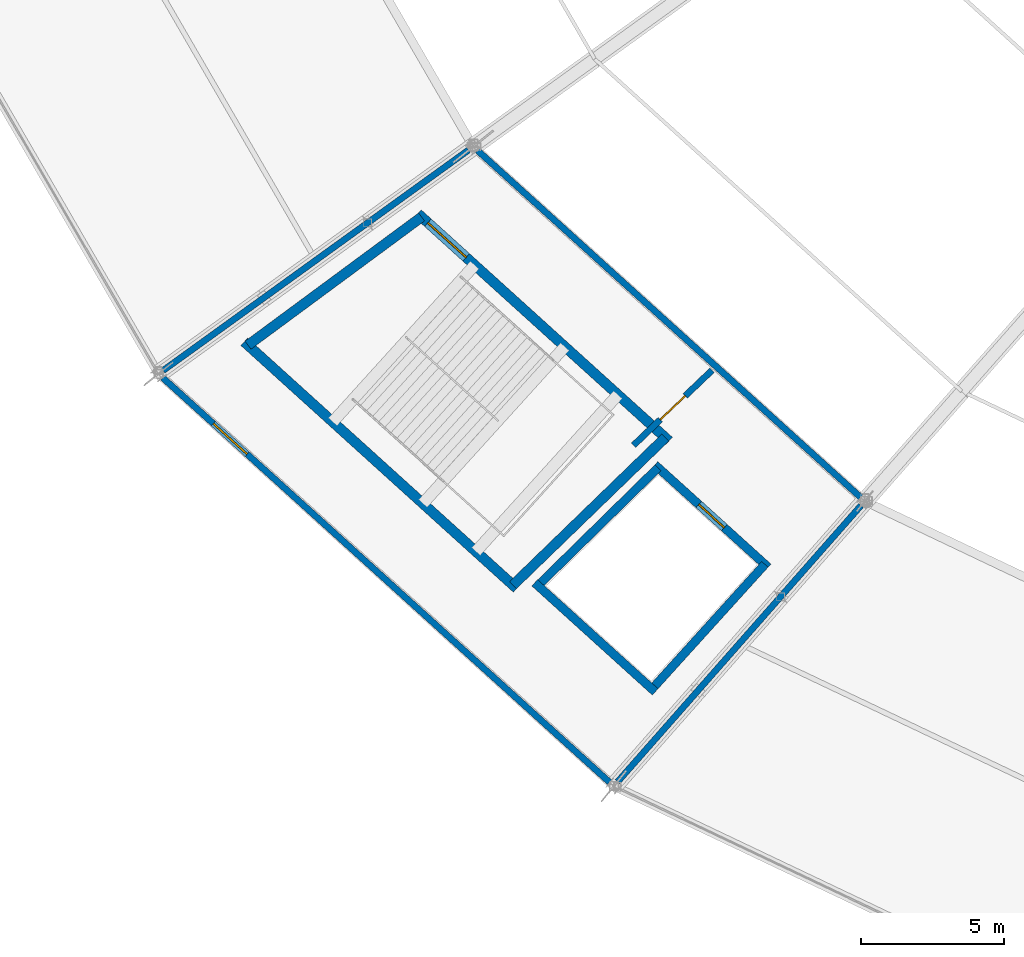
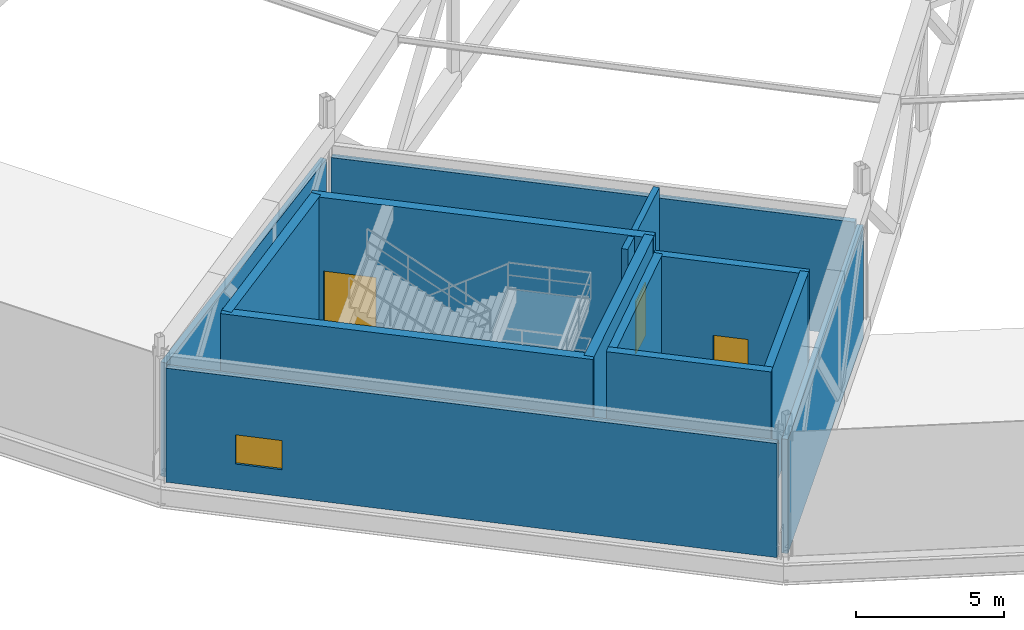
# One storey, part 148 of 162: 13 walls, 3 doors, 1 window, 4 openings.
"""IFC4 building model written with IfcOpenShell, lengths in metres."""

from ifc_helpers import new_model, si_unit, direction, frame, frame_2d, origin, place, context, subcontext, project, spatial, rectangle, extrude, material, layer, layer_set, type_object, element, fill, save


model = new_model("IFC4")

# Units and contexts
model_context = context("Model", 3, precision=1e-05, world=origin(), true_north=direction((0.0, 1.0)))
body_context = subcontext(model_context, "Body", "Model", "MODEL_VIEW")
ifc_project = project(units=[si_unit("LENGTHUNIT", "METRE"), si_unit("AREAUNIT", "SQUARE_METRE"), si_unit("VOLUMEUNIT", "CUBIC_METRE"), si_unit("PLANEANGLEUNIT", "RADIAN"), si_unit("MASSUNIT", "GRAM", prefix="KILO")], contexts=[model_context])

# Site, building, storey
site_placement = place(None, origin())
site = spatial("IfcSite", under=ifc_project, at=site_placement, CompositionType="ELEMENT")
building_placement = place(site_placement, origin())
building = spatial("IfcBuilding", under=site, at=building_placement, Name="Kazemori Nagisa Stadium", CompositionType="ELEMENT")
storey_placement = place(building_placement, frame((0.0, 0.0, 36.719970703125)))
storey = spatial("IfcBuildingStorey", under=building, at=storey_placement, Name="RF", CompositionType="ELEMENT", Elevation=36.719970703125)

# Wall, opening, door
ifc_material_1 = material(Name="Concrete C40/50 (Fc42)", Category="concrete")
ifc_layer_1 = layer(ifc_material_1, 0.35009765625, Name="Concrete C40/50 (Fc42)", Category="concrete")
ifc_layer_set_1 = layer_set([ifc_layer_1], Name="Concrete C40/50 (Fc42)")
wall_type_1 = type_object("IfcWallType", Name="Wall_W-CORE-350", PredefinedType="SHEAR", material=ifc_layer_set_1)
wall_1_placement = place(storey_placement, frame((53.561279296875, 50.927978515625, 0.0), z_axis=(0.0, 0.0, 1.0), x_axis=(0.741358227035, -0.671109513572, 0.0)))
wall_1 = element("IfcWall", 1, at=wall_1_placement, inside=storey, type_object=wall_type_1, Name="Core stair front shear wall ST03 RF", PredefinedType="SHEAR", context=body_context, shape_type="SweptSolid", body=[
    extrude(rectangle(XDim=11.82666015625, YDim=0.35009765625, at=frame_2d((5.913330078125, 0.0))), origin(), (0.0, 0.0, 1.0), 5.219970703125),
])
opening_1_placement = place(wall_1_placement, frame((0.47509765625, 0.0, 0.0)))
opening_1 = element("IfcOpeningElement", 2, at=opening_1_placement, cuts=wall_1, Name="Opening D-ST-1800", PredefinedType="OPENING", context=body_context, shape_type="SweptSolid", body=[
    extrude(rectangle(XDim=1.800048828125, YDim=2.199951171875, at=frame_2d((0.89990234375, 1.10009765625))), frame((0.0, 0.18505859375, 0.0), z_axis=(0.0, -1.0, 0.0), x_axis=(1.0, 0.0, 0.0)), (0.0, 0.0, 1.0), 0.3701171875),
])
ifc_material_2 = material(Name="Galvanised steel sheet", Category="steel")
door_type_1 = type_object("IfcDoorType", Name="Door_D-ST-1800", OperationType="NOTDEFINED", PredefinedType="DOOR", material=ifc_material_2)
door_1_placement = place(opening_1_placement, frame((1.800048828125, 0.0, 0.0), z_axis=(0.0, 0.0, 1.0), x_axis=(-1.0, 0.0, 0.0)))
door_1 = element("IfcDoor", 3, at=door_1_placement, inside=storey, type_object=door_type_1, Name="Exit stair fire door ST03-RF", OperationType="SINGLE_SWING_RIGHT", OverallHeight=2.199951171875, OverallWidth=1.800048828125, PredefinedType="DOOR", context=body_context, shape_type="SweptSolid", body=[
    extrude(rectangle(XDim=1.800048828125, YDim=2.199951171875, at=frame_2d((0.89990234375, 1.10009765625))), frame((0.0, 0.02490234375, 0.0), z_axis=(0.0, -1.0, 0.0), x_axis=(1.0, 0.0, 0.0)), (0.0, 0.0, 1.0), 0.050048828125),
])
fill(opening_1, door_1)

# Walls
wall_2_placement = place(storey_placement, frame((47.500732421875, 46.451904296875, 0.0), z_axis=(0.0, 0.0, 1.0), x_axis=(0.741351373721, -0.671117084183, 0.0)))
element("IfcWall", 4, at=wall_2_placement, inside=storey, type_object=wall_type_1, Name="Core stair rear shear wall ST03 RF", PredefinedType="SHEAR", context=body_context, shape_type="SweptSolid", body=[
    extrude(rectangle(XDim=12.830322265625, YDim=0.35009765625, at=frame_2d((6.4150390625, 0.0))), origin(), (0.0, 0.0, 1.0), 5.219970703125),
])
wall_3_placement = place(storey_placement, frame((53.691162109375, 50.810546875, 0.0), z_axis=(0.0, 0.0, 1.0), x_axis=(-0.804395625347, -0.594093997548, 0.0)))
element("IfcWall", 5, at=wall_3_placement, inside=storey, type_object=wall_type_1, Name="Core stair left shear wall ST03 RF", PredefinedType="SHEAR", context=body_context, shape_type="SweptSolid", body=[
    extrude(rectangle(XDim=7.5341796875, YDim=0.35009765625, at=frame_2d((3.76708984375, 0.0))), origin(), (0.0, 0.0, 1.0), 5.219970703125),
])
wall_4_placement = place(storey_placement, frame((62.199462890625, 43.1083984375, 0.0), z_axis=(0.0, 0.0, 1.0), x_axis=(-0.718297398554, -0.69573619083, 0.0)))
element("IfcWall", 6, at=wall_4_placement, inside=storey, type_object=wall_type_1, Name="Core stair right shear wall ST03 RF", PredefinedType="SHEAR", context=body_context, shape_type="SweptSolid", body=[
    extrude(rectangle(XDim=7.40185546875, YDim=0.35009765625, at=frame_2d((3.700927734375, 0.0))), origin(), (0.0, 0.0, 1.0), 5.219970703125),
])
ifc_material_3 = material(Name="Steel S355 (SN490B)", Category="steel")
ifc_layer_2 = layer(ifc_material_3, 0.219970703125, Name="Steel S355 (SN490B)", Category="steel")
ifc_layer_set_2 = layer_set([ifc_layer_2], Name="Steel S355 (SN490B)")
wall_type_2 = type_object("IfcWallType", Name="Wall_W-EXT-220", PredefinedType="SOLIDWALL", material=ifc_layer_set_2)
wall_5_placement = place(storey_placement, frame((55.642333984375, 53.131591796875, 0.0), z_axis=(0.0, 0.0, 1.0), x_axis=(0.741349812395, -0.671118808902, 0.0)))
element("IfcWall", 7, at=wall_5_placement, inside=storey, type_object=wall_type_2, Name="Corner headhouse exterior wall RF-B18-in", PredefinedType="SOLIDWALL", context=body_context, shape_type="SweptSolid", body=[
    extrude(rectangle(XDim=18.041748046875, YDim=0.219970703125, at=frame_2d((9.02099609375, 0.0))), origin(), (0.0, 0.0, 1.0), 4.68994140625),
])

# Wall, opening, window
wall_6_placement = place(storey_placement, frame((44.65283203125, 45.1982421875, 0.0), z_axis=(0.0, 0.0, 1.0), x_axis=(0.74134637924, -0.671122601309, 0.0)))
wall_6 = element("IfcWall", 8, at=wall_6_placement, inside=storey, type_object=wall_type_2, Name="Corner headhouse exterior wall RF-B18-out", PredefinedType="SOLIDWALL", context=body_context, shape_type="SweptSolid", body=[
    extrude(rectangle(XDim=21.0439453125, YDim=0.219970703125, at=frame_2d((10.52197265625, 0.0))), origin(), (0.0, 0.0, 1.0), 4.68994140625),
])
opening_2_placement = place(wall_6_placement, frame((2.3798828125, 0.0, 1.10009765625)))
opening_2 = element("IfcOpeningElement", 9, at=opening_2_placement, cuts=wall_6, Name="Opening WIN-RF-1600", PredefinedType="OPENING", context=body_context, shape_type="SweptSolid", body=[
    extrude(rectangle(XDim=1.60009765625, YDim=1.199951171875, at=frame_2d((0.800048828125, 0.60009765625))), frame((0.0, 0.119873046875, 0.0), z_axis=(0.0, -1.0, 0.0), x_axis=(1.0, 0.0, 0.0)), (0.0, 0.0, 1.0), 0.239990234375),
])
ifc_material_4 = material(Name="Low-e laminated double glazing", Category="glass")
window_type = type_object("IfcWindowType", Name="Window_WIN-RF-1600", PartitioningType="SINGLE_PANEL", PredefinedType="WINDOW", material=ifc_material_4)
window_placement = place(opening_2_placement, origin())
window = element("IfcWindow", 10, at=window_placement, inside=storey, type_object=window_type, Name="Headhouse plant clerestory window RF-B18", OverallHeight=1.199951171875, OverallWidth=1.60009765625, PartitioningType="SINGLE_PANEL", PredefinedType="WINDOW", context=body_context, shape_type="SweptSolid", body=[
    extrude(rectangle(XDim=1.60009765625, YDim=1.199951171875, at=frame_2d((0.800048828125, 0.60009765625))), frame((0.0, 0.030029296875, 0.0), z_axis=(0.0, -1.0, 0.0), x_axis=(1.0, 0.0, 0.0)), (0.0, 0.0, 1.0), 0.06005859375),
])
fill(opening_2, window)

# Walls
wall_7_placement = place(storey_placement, frame((55.331787109375, 53.148681640625, 0.0), z_axis=(0.0, 0.0, 1.0), x_axis=(-0.810798631482, -0.585325190972, 0.0)))
element("IfcWall", 11, at=wall_7_placement, inside=storey, type_object=wall_type_2, Name="Corner headhouse exterior wall RF-B18-L", PredefinedType="SOLIDWALL", context=body_context, shape_type="SweptSolid", body=[
    extrude(rectangle(XDim=13.15380859375, YDim=0.219970703125, at=frame_2d((6.576904296875, 0.0))), origin(), (0.0, 0.0, 1.0), 4.68994140625),
])
wall_8_placement = place(storey_placement, frame((69.033447265625, 40.7392578125, 0.0), z_axis=(0.0, 0.0, 1.0), x_axis=(-0.661016034052, -0.750371776339, 0.0)))
element("IfcWall", 12, at=wall_8_placement, inside=storey, type_object=wall_type_2, Name="Corner headhouse exterior wall RF-B18-R", PredefinedType="SOLIDWALL", context=body_context, shape_type="SweptSolid", body=[
    extrude(rectangle(XDim=12.85791015625, YDim=0.219970703125, at=frame_2d((6.428955078125, 0.0))), origin(), (0.0, 0.0, 1.0), 4.68994140625),
])

# Wall, opening, door
ifc_material_5 = material(Name="Concrete C36/45 (Fc36)", Category="concrete")
ifc_layer_3 = layer(ifc_material_5, 0.219970703125, Name="Concrete C36/45 (Fc36)", Category="concrete")
ifc_layer_set_3 = layer_set([ifc_layer_3], Name="Concrete C36/45 (Fc36)")
wall_type_3 = type_object("IfcWallType", Name="Wall_W-LOBBY-220", PredefinedType="SOLIDWALL", material=ifc_layer_set_3)
wall_9_placement = place(storey_placement, frame((63.833251953125, 45.461181640625, 0.0), z_axis=(0.0, 0.0, 1.0), x_axis=(-0.722996399824, -0.690851797306, 0.0)))
wall_9 = element("IfcWall", 13, at=wall_9_placement, inside=storey, type_object=wall_type_3, Name="Headhouse plant fire wall RF-B18", PredefinedType="SOLIDWALL", context=body_context, shape_type="SweptSolid", body=[
    extrude(rectangle(XDim=3.797607421875, YDim=0.219970703125, at=frame_2d((1.89892578125, 0.0))), origin(), (0.0, 0.0, 1.0), 5.18994140625),
])
opening_3_placement = place(wall_9_placement, frame((1.299072265625, 0.0, 0.0)))
opening_3 = element("IfcOpeningElement", 14, at=opening_3_placement, cuts=wall_9, Name="Opening D-PL-1200", PredefinedType="OPENING", context=body_context, shape_type="SweptSolid", body=[
    extrude(rectangle(XDim=1.199951171875, YDim=2.14990234375, at=frame_2d((0.60009765625, 1.074951171875))), frame((0.0, 0.119873046875, 0.0), z_axis=(0.0, -1.0, 0.0), x_axis=(1.0, 0.0, 0.0)), (0.0, 0.0, 1.0), 0.239990234375),
])
door_type_2 = type_object("IfcDoorType", Name="Door_D-PL-1200", OperationType="NOTDEFINED", PredefinedType="DOOR", material=ifc_material_2)
door_2_placement = place(opening_3_placement, origin())
door_2 = element("IfcDoor", 15, at=door_2_placement, inside=storey, type_object=door_type_2, Name="Headhouse plant fire door RF-B18", OperationType="SINGLE_SWING_LEFT", OverallHeight=2.14990234375, OverallWidth=1.199951171875, PredefinedType="DOOR", context=body_context, shape_type="SweptSolid", body=[
    extrude(rectangle(XDim=1.199951171875, YDim=2.14990234375, at=frame_2d((0.60009765625, 1.074951171875))), frame((0.0, 0.02490234375, 0.0), z_axis=(0.0, -1.0, 0.0), x_axis=(1.0, 0.0, 0.0)), (0.0, 0.0, 1.0), 0.050048828125),
])
fill(opening_3, door_2)

ifc_layer_4 = layer(ifc_material_1, 0.300048828125, Name="Concrete C40/50 (Fc42)", Category="concrete")
ifc_layer_set_4 = layer_set([ifc_layer_4], Name="Concrete C40/50 (Fc42)")
wall_type_4 = type_object("IfcWallType", Name="Wall_W-SHAFT-300", PredefinedType="SHEAR", material=ifc_layer_set_4)
wall_10_placement = place(storey_placement, frame((61.8369140625, 42.159423828125, 0.0), z_axis=(0.0, 0.0, 1.0), x_axis=(0.741350155641, -0.671118429736, 0.0)))
wall_10 = element("IfcWall", 16, at=wall_10_placement, inside=storey, type_object=wall_type_4, Name="Lift shaft front wall FL3 RF", PredefinedType="SHEAR", context=body_context, shape_type="SweptSolid", body=[
    extrude(rectangle(XDim=5.3291015625, YDim=0.300048828125, at=frame_2d((2.66455078125, 0.0))), origin(), (0.0, 0.0, 1.0), 5.18994140625),
])
opening_4_placement = place(wall_10_placement, frame((2.06494140625, 0.0, 0.0)))
opening_4 = element("IfcOpeningElement", 17, at=opening_4_placement, cuts=wall_10, Name="Opening LD-FF", PredefinedType="OPENING", context=body_context, shape_type="SweptSolid", body=[
    extrude(rectangle(XDim=1.199951171875, YDim=2.199951171875, at=frame_2d((0.60009765625, 1.10009765625))), frame((0.0, 0.159912109375, 0.0), z_axis=(0.0, -1.0, 0.0), x_axis=(1.0, 0.0, 0.0)), (0.0, 0.0, 1.0), 0.320068359375),
])
ifc_material_6 = material(Name="Stainless steel SUS304", Category="steel")
door_type_3 = type_object("IfcDoorType", Name="Door_LD-FF", OperationType="SLIDING_TO_LEFT", PredefinedType="DOOR", material=ifc_material_6)
door_3_placement = place(opening_4_placement, origin())
door_3 = element("IfcDoor", 18, at=door_3_placement, inside=storey, type_object=door_type_3, Name="Lift landing door FL3-RF", OperationType="SLIDING_TO_LEFT", OverallHeight=2.199951171875, OverallWidth=1.199951171875, PredefinedType="DOOR", context=body_context, shape_type="SweptSolid", body=[
    extrude(rectangle(XDim=1.199951171875, YDim=2.199951171875, at=frame_2d((0.60009765625, 1.10009765625))), frame((0.0, 0.02490234375, 0.0), z_axis=(0.0, -1.0, 0.0), x_axis=(1.0, 0.0, 0.0)), (0.0, 0.0, 1.0), 0.050048828125),
])
fill(opening_4, door_3)

# Walls
wall_11_placement = place(storey_placement, frame((57.640380859375, 38.039306640625, 0.0), z_axis=(0.0, 0.0, 1.0), x_axis=(0.74134208775, -0.671127341815, 0.0)))
element("IfcWall", 19, at=wall_11_placement, inside=storey, type_object=wall_type_4, Name="Lift shaft B wall FL3 RF", PredefinedType="SHEAR", context=body_context, shape_type="SweptSolid", body=[
    extrude(rectangle(XDim=5.674560546875, YDim=0.300048828125, at=frame_2d((2.83740234375, 0.0))), origin(), (0.0, 0.0, 1.0), 5.18994140625),
])
wall_12_placement = place(storey_placement, frame((61.947998046875, 42.058837890625, 0.0), z_axis=(0.0, 0.0, 1.0), x_axis=(-0.713553028001, -0.700601224828, 0.0)))
element("IfcWall", 20, at=wall_12_placement, inside=storey, type_object=wall_type_4, Name="Lift shaft L wall FL3 RF", PredefinedType="SHEAR", context=body_context, shape_type="SweptSolid", body=[
    extrude(rectangle(XDim=5.881103515625, YDim=0.300048828125, at=frame_2d((2.9404296875, 0.0))), origin(), (0.0, 0.0, 1.0), 5.18994140625),
])
wall_13_placement = place(storey_placement, frame((65.67626953125, 38.68359375, 0.0), z_axis=(0.0, 0.0, 1.0), x_axis=(-0.67115829282, -0.741314067031, 0.0)))
element("IfcWall", 21, at=wall_13_placement, inside=storey, type_object=wall_type_4, Name="Lift shaft R wall FL3 RF", PredefinedType="SHEAR", context=body_context, shape_type="SweptSolid", body=[
    extrude(rectangle(XDim=5.87060546875, YDim=0.300048828125, at=frame_2d((2.935302734375, 0.0))), origin(), (0.0, 0.0, 1.0), 5.18994140625),
])

save(model, "model.ifc")
